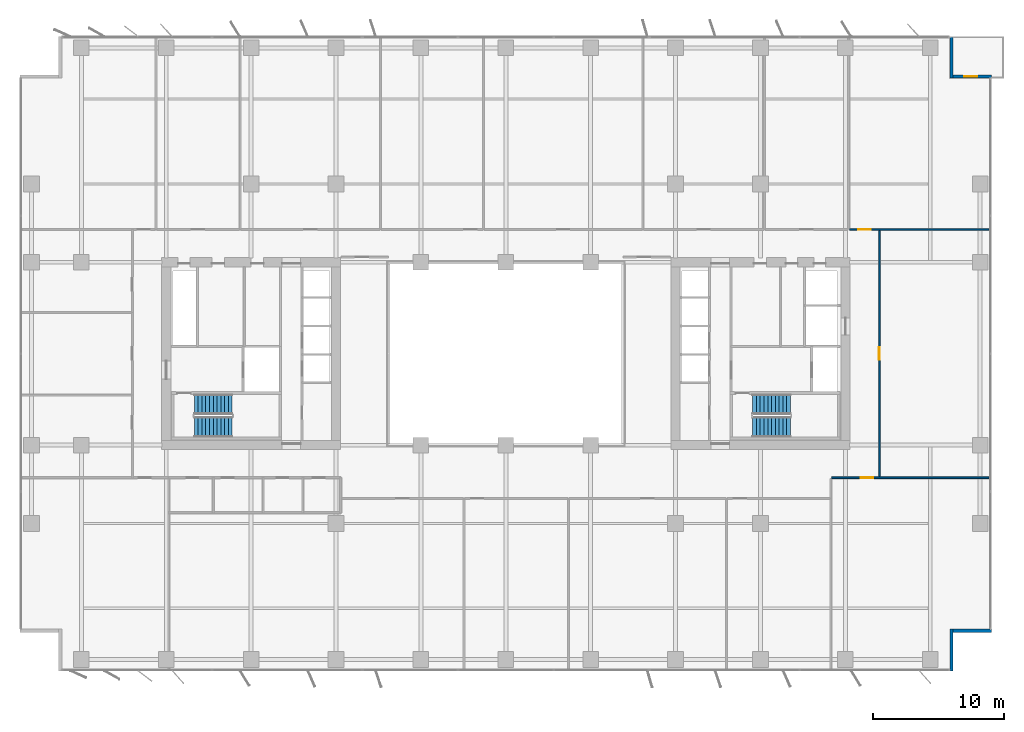
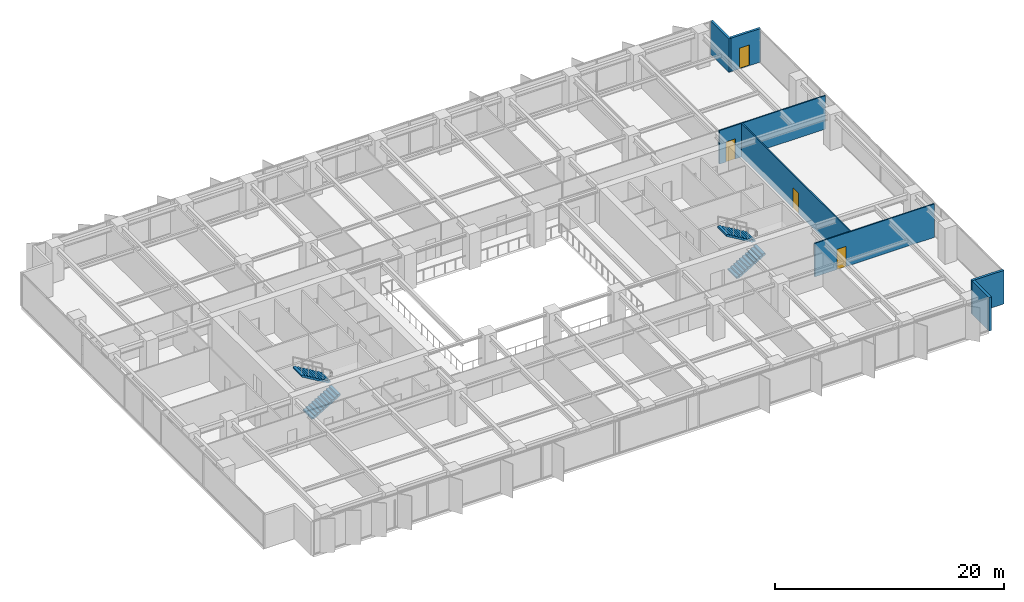
# One storey, part 16 of 20: 7 walls, 4 doors, 4 stair flights, 4 openings, 2 elements without a shape of their own.
"""IFC4 building model written with IfcOpenShell, lengths in metres."""

from ifc_helpers import new_model, si_unit, direction, frame, frame_2d, origin, place, context, subcontext, project, spatial, polyline, rectangle, outline, extrude, material, layer, layer_set, type_object, element, fill, aggregate, save


model = new_model("IFC4")

# Units and contexts
model_context = context("Model", 3, precision=1e-05, world=origin(), true_north=direction((0.0, 1.0)))
body_context = subcontext(model_context, "Body", "Model", "MODEL_VIEW")
ifc_project = project(units=[si_unit("LENGTHUNIT", "METRE"), si_unit("AREAUNIT", "SQUARE_METRE"), si_unit("VOLUMEUNIT", "CUBIC_METRE"), si_unit("PLANEANGLEUNIT", "RADIAN"), si_unit("MASSUNIT", "GRAM", prefix="KILO")], contexts=[model_context])

# Site, building, storey
site_placement = place(None, origin())
site = spatial("IfcSite", under=ifc_project, at=site_placement, CompositionType="ELEMENT")
building_placement = place(site_placement, origin())
building = spatial("IfcBuilding", under=site, at=building_placement, Name="Putna Gate Headquarters", CompositionType="ELEMENT")
storey_placement = place(building_placement, frame((0.0, 0.0, 124.0)))
storey = spatial("IfcBuildingStorey", under=building, at=storey_placement, Name="L30", CompositionType="ELEMENT", Elevation=124.0)

# Wall
ifc_material_1 = material(Name="Precast concrete C40/50", Category="concrete")
ifc_layer_1 = layer(ifc_material_1, 0.239990234375)
ifc_layer_set_1 = layer_set([ifc_layer_1], Name="Precast concrete C40/50")
wall_type_1 = type_object("IfcWallType", Name="WALL-EXT-TERR-240", PredefinedType="STANDARD", material=ifc_layer_set_1)
wall_1_placement = place(storey_placement, frame((73.1201171875, 50.300048828125, 0.0), z_axis=(0.0, 0.0, 1.0), x_axis=(0.0, -1.0, 0.0)))
element("IfcWall", 1, at=wall_1_placement, inside=storey, type_object=wall_type_1, Name="L30 Corner Notch Return Wall NE-V", PredefinedType="STANDARD", context=body_context, shape_type="SweptSolid", body=[
    extrude(rectangle(XDim=3.199951171875, YDim=0.239990234375, at=frame_2d((1.60009765625, 0.0))), origin(), (0.0, 0.0, 1.0), 3.56494140625),
])

# Wall, opening, door
wall_2_placement = place(storey_placement, frame((73.0, 47.219970703125, 0.0), z_axis=(0.0, 0.0, 1.0), x_axis=(1.0, 0.0, 0.0)))
wall_2 = element("IfcWall", 2, at=wall_2_placement, inside=storey, type_object=wall_type_1, Name="L30 Corner Notch Return Wall NE-H", PredefinedType="STANDARD", context=body_context, shape_type="SweptSolid", body=[
    extrude(rectangle(XDim=3.199951171875, YDim=0.239990234375, at=frame_2d((1.60009765625, 0.0))), origin(), (0.0, 0.0, 1.0), 3.56494140625),
])
opening_1_placement = place(wall_2_placement, frame((1.10009765625, 0.0, 0.0)))
opening_1 = element("IfcOpeningElement", 3, at=opening_1_placement, cuts=wall_2, Name="Opening TRD-1", PredefinedType="OPENING", context=body_context, shape_type="SweptSolid", body=[
    extrude(rectangle(XDim=1.0, YDim=2.199951171875, at=frame_2d((0.5, 1.10009765625))), frame((0.0, 0.1298828125, 0.0), z_axis=(0.0, -1.0, 0.0), x_axis=(1.0, 0.0, 0.0)), (0.0, 0.0, 1.0), 0.260009765625),
])
ifc_material_2 = material(Name="Thermally broken bronze glazed terrace door")
door_type_1 = type_object("IfcDoorType", Name="DOOR-TERR-EXT-1000", OperationType="NOTDEFINED", PredefinedType="DOOR", material=ifc_material_2)
door_1_placement = place(opening_1_placement, origin())
door_1 = element("IfcDoor", 4, at=door_1_placement, inside=storey, type_object=door_type_1, Name="L30 Spiral Sky Terrace Door NE", OperationType="SINGLE_SWING_LEFT", OverallHeight=2.199951171875, OverallWidth=1.0, PredefinedType="DOOR", context=body_context, shape_type="SweptSolid", body=[
    extrude(rectangle(XDim=1.0, YDim=2.199951171875, at=frame_2d((0.5, 1.10009765625))), frame((0.0, 0.02490234375, 0.0), z_axis=(0.0, -1.0, 0.0), x_axis=(1.0, 0.0, 0.0)), (0.0, 0.0, 1.0), 0.050048828125),
])
fill(opening_1, door_1)

# Walls
for number, where, z_axis, x_axis, name in (
    (5, (73.1201171875, 4.89990234375, 0.0), (0.0, 0.0, 1.0), (0.0, -1.0, 0.0), "L30 Corner Notch Return Wall SE-V"),
    (6, (76.199951171875, 4.780029296875, 0.0), (0.0, 0.0, 1.0), (-1.0, 0.0, 0.0), "L30 Corner Notch Return Wall SE-H"),
):
    element("IfcWall", number, at=place(storey_placement, frame(where, z_axis=z_axis, x_axis=x_axis)), inside=storey, type_object=wall_type_1, Name=name, PredefinedType="STANDARD", context=body_context, shape_type="SweptSolid", body=[
        extrude(rectangle(XDim=3.199951171875, YDim=0.239990234375, at=frame_2d((1.60009765625, 0.0))), origin(), (0.0, 0.0, 1.0), 3.56494140625),
    ])

# Wall, opening, door
ifc_material_3 = material(Name="Fire-rated gypsum board on metal stud")
ifc_layer_2 = layer(ifc_material_3, 0.1201171875)
ifc_layer_set_2 = layer_set([ifc_layer_2], Name="Fire-rated gypsum board on metal stud")
wall_type_2 = type_object("IfcWallType", Name="WALL-PART-120-RATED", PredefinedType="PARTITIONING", material=ifc_layer_set_2)
wall_3_placement = place(storey_placement, frame((65.322021484375, 35.5, 0.0), z_axis=(0.0, 0.0, 1.0), x_axis=(1.0, 0.0, 0.0)))
wall_3 = element("IfcWall", 7, at=wall_3_placement, inside=storey, type_object=wall_type_2, Name="L30 Interior Wall PART-L30-NB-CW-08", PredefinedType="PARTITIONING", context=body_context, shape_type="SweptSolid", body=[
    extrude(rectangle(XDim=10.697998046875, YDim=0.1201171875, at=frame_2d((5.34912109375, 0.0))), origin(), (0.0, 0.0, 1.0), 3.56494140625),
])
opening_2_placement = place(wall_3_placement, frame((0.6640625, 0.0, 0.0)))
opening_2 = element("IfcOpeningElement", 8, at=opening_2_placement, cuts=wall_3, Name="Opening FD-95", PredefinedType="OPENING", context=body_context, shape_type="SweptSolid", body=[
    extrude(rectangle(XDim=0.949951171875, YDim=2.14990234375, at=frame_2d((0.47509765625, 1.074951171875))), frame((0.0, 0.070068359375, 0.0), z_axis=(0.0, -1.0, 0.0), x_axis=(1.0, 0.0, 0.0)), (0.0, 0.0, 1.0), 0.14013671875),
])
ifc_material_4 = material(Name="Acoustic timber fire door", Category="wood")
door_type_2 = type_object("IfcDoorType", Name="DOOR-FIRE-950", OperationType="NOTDEFINED", PredefinedType="DOOR", material=ifc_material_4)
door_2_placement = place(opening_2_placement, origin())
door_2 = element("IfcDoor", 9, at=door_2_placement, inside=storey, type_object=door_type_2, Name="L30 Quiet Wellness Focus Studio 2 Door", OperationType="SINGLE_SWING_RIGHT", OverallHeight=2.14990234375, OverallWidth=0.949951171875, PredefinedType="DOOR", context=body_context, shape_type="SweptSolid", body=[
    extrude(rectangle(XDim=0.949951171875, YDim=2.14990234375, at=frame_2d((0.47509765625, 1.074951171875))), frame((0.0, 0.02490234375, 0.0), z_axis=(0.0, -1.0, 0.0), x_axis=(1.0, 0.0, 0.0)), (0.0, 0.0, 1.0), 0.050048828125),
])
fill(opening_2, door_2)

wall_4_placement = place(storey_placement, frame((63.954833984375, 16.5, 0.0), z_axis=(0.0, 0.0, 1.0), x_axis=(1.0, 0.0, 0.0)))
wall_4 = element("IfcWall", 10, at=wall_4_placement, inside=storey, type_object=wall_type_2, Name="L30 Interior Wall PART-L30-SB-CW-06", PredefinedType="PARTITIONING", context=body_context, shape_type="SweptSolid", body=[
    extrude(rectangle(XDim=12.065185546875, YDim=0.1201171875, at=frame_2d((6.03271484375, 0.0))), origin(), (0.0, 0.0, 1.0), 3.56494140625),
])
opening_3_placement = place(wall_4_placement, frame((2.215087890625, 0.0, 0.0)))
opening_3 = element("IfcOpeningElement", 11, at=opening_3_placement, cuts=wall_4, Name="Opening FD-95", PredefinedType="OPENING", context=body_context, shape_type="SweptSolid", body=[
    extrude(rectangle(XDim=0.949951171875, YDim=2.14990234375, at=frame_2d((0.47509765625, 1.074951171875))), frame((0.0, 0.070068359375, 0.0), z_axis=(0.0, -1.0, 0.0), x_axis=(1.0, 0.0, 0.0)), (0.0, 0.0, 1.0), 0.14013671875),
])
door_3_placement = place(opening_3_placement, origin())
door_3 = element("IfcDoor", 12, at=door_3_placement, inside=storey, type_object=door_type_2, Name="L30 Cellular Office 2 Door", OperationType="SINGLE_SWING_RIGHT", OverallHeight=2.14990234375, OverallWidth=0.949951171875, PredefinedType="DOOR", context=body_context, shape_type="SweptSolid", body=[
    extrude(rectangle(XDim=0.949951171875, YDim=2.14990234375, at=frame_2d((0.47509765625, 1.074951171875))), frame((0.0, 0.02490234375, 0.0), z_axis=(0.0, -1.0, 0.0), x_axis=(1.0, 0.0, 0.0)), (0.0, 0.0, 1.0), 0.050048828125),
])
fill(opening_3, door_3)

wall_5_placement = place(storey_placement, frame((67.60009765625, 16.5, 0.0), z_axis=(0.0, 0.0, 1.0), x_axis=(0.0, 1.0, 0.0)))
wall_5 = element("IfcWall", 13, at=wall_5_placement, inside=storey, type_object=wall_type_2, Name="L30 Interior Wall PART-L30-EW-CW-1", PredefinedType="PARTITIONING", context=body_context, shape_type="SweptSolid", body=[
    extrude(rectangle(XDim=19.0, YDim=0.1201171875, at=frame_2d((9.5, 0.0))), origin(), (0.0, 0.0, 1.0), 3.56494140625),
])
opening_4_placement = place(wall_5_placement, frame((9.02490234375, 0.0, 0.0)))
opening_4 = element("IfcOpeningElement", 14, at=opening_4_placement, cuts=wall_5, Name="Opening FD-95", PredefinedType="OPENING", context=body_context, shape_type="SweptSolid", body=[
    extrude(rectangle(XDim=0.949951171875, YDim=2.14990234375, at=frame_2d((0.47509765625, 1.074951171875))), frame((0.0, 0.070068359375, 0.0), z_axis=(0.0, -1.0, 0.0), x_axis=(1.0, 0.0, 0.0)), (0.0, 0.0, 1.0), 0.14013671875),
])
door_4_placement = place(opening_4_placement, origin())
door_4 = element("IfcDoor", 15, at=door_4_placement, inside=storey, type_object=door_type_2, Name="L30 East Horizon Conference Room 1 Door", OperationType="SINGLE_SWING_RIGHT", OverallHeight=2.14990234375, OverallWidth=0.949951171875, PredefinedType="DOOR", context=body_context, shape_type="SweptSolid", body=[
    extrude(rectangle(XDim=0.949951171875, YDim=2.14990234375, at=frame_2d((0.47509765625, 1.074951171875))), frame((0.0, 0.02490234375, 0.0), z_axis=(0.0, -1.0, 0.0), x_axis=(1.0, 0.0, 0.0)), (0.0, 0.0, 1.0), 0.050048828125),
])
fill(opening_4, door_4)

# Stair, stair flights
ifc_material_5 = material(Name="Concrete C40/50", Category="concrete")
stair_type_1 = type_object("IfcStairType", Name="STAIR-ST1", PredefinedType="HALF_TURN_STAIR", material=ifc_material_5)
stair_1_placement = place(storey_placement, origin())
stair_1 = element("IfcStair", 16, at=stair_1_placement, inside=storey, type_object=stair_type_1, Name="L30 West Core Exit Stair ST1", PredefinedType="HALF_TURN_STAIR")
stair_flight_type_1 = type_object("IfcStairFlightType", Name="FLIGHT-ST1", PredefinedType="STRAIGHT", material=ifc_material_5)
stair_flight_1_placement = place(storey_placement, frame((15.14990234375, 20.375, 0.0), z_axis=(0.0, 0.0, 1.0), x_axis=(1.0, 0.0, 0.0)))
stair_flight_1 = element("IfcStairFlight", 17, at=stair_flight_1_placement, type_object=stair_flight_type_1, Name="ST1 flight 1", NumberOfRisers=11, NumberOfTreads=10, PredefinedType="STRAIGHT", RiserHeight=0.172727273, TreadLength=0.29, context=body_context, shape_type="SweptSolid", body=[
    extrude(outline(polyline([(0.0, 0.0), (0.0, 0.172607421875), (0.2900390625, 0.172607421875), (0.2900390625, 0.345458984375), (0.580078125, 0.345458984375), (0.580078125, 0.51806640625), (0.8701171875, 0.51806640625), (0.8701171875, 0.69091796875), (1.159912109375, 0.69091796875), (1.159912109375, 0.863525390625), (1.449951171875, 0.863525390625), (1.449951171875, 1.036376953125), (1.739990234375, 1.036376953125), (1.739990234375, 1.208984375), (2.030029296875, 1.208984375), (2.030029296875, 1.3818359375), (2.320068359375, 1.3818359375), (2.320068359375, 1.554443359375), (2.610107421875, 1.554443359375), (2.610107421875, 1.727294921875), (2.89990234375, 1.727294921875), (2.89990234375, 1.89990234375), (2.89990234375, 1.552734375), (0.29296875, 0.0), (0.0, 0.0)])), frame((0.0, 0.77490234375, 0.0), z_axis=(0.0, -1.0, 0.0), x_axis=(1.0, 0.0, 0.0)), (0.0, 0.0, 1.0), 1.550048828125),
])
stair_flight_2_placement = place(storey_placement, frame((18.050048828125, 22.125, 1.89990234375), z_axis=(0.0, 0.0, 1.0), x_axis=(-1.0, 0.0, 0.0)))
stair_flight_2 = element("IfcStairFlight", 18, at=stair_flight_2_placement, type_object=stair_flight_type_1, Name="ST1 flight 2", NumberOfRisers=11, NumberOfTreads=10, PredefinedType="STRAIGHT", RiserHeight=0.172727273, TreadLength=0.29, context=body_context, shape_type="SweptSolid", body=[
    extrude(outline(polyline([(0.0, 0.0), (0.0, 0.172607421875), (0.2900390625, 0.172607421875), (0.2900390625, 0.345458984375), (0.580078125, 0.345458984375), (0.580078125, 0.51806640625), (0.8701171875, 0.51806640625), (0.8701171875, 0.69091796875), (1.159912109375, 0.69091796875), (1.159912109375, 0.863525390625), (1.449951171875, 0.863525390625), (1.449951171875, 1.036376953125), (1.739990234375, 1.036376953125), (1.739990234375, 1.208984375), (2.030029296875, 1.208984375), (2.030029296875, 1.3818359375), (2.320068359375, 1.3818359375), (2.320068359375, 1.554443359375), (2.610107421875, 1.554443359375), (2.610107421875, 1.727294921875), (2.89990234375, 1.727294921875), (2.89990234375, 1.89990234375), (2.89990234375, 1.552734375), (0.29296875, 0.0), (0.0, 0.0)])), frame((0.0, 0.77490234375, 0.0), z_axis=(0.0, -1.0, 0.0), x_axis=(1.0, 0.0, 0.0)), (0.0, 0.0, 1.0), 1.550048828125),
])
aggregate(stair_1, [stair_flight_1, stair_flight_2])

stair_type_2 = type_object("IfcStairType", Name="STAIR-ST2", PredefinedType="HALF_TURN_STAIR", material=ifc_material_5)
stair_2_placement = place(storey_placement, origin())
stair_2 = element("IfcStair", 19, at=stair_2_placement, inside=storey, type_object=stair_type_2, Name="L30 East Core Exit Stair ST2", PredefinedType="HALF_TURN_STAIR")
stair_flight_type_2 = type_object("IfcStairFlightType", Name="FLIGHT-ST2", PredefinedType="STRAIGHT", material=ifc_material_5)
stair_flight_3_placement = place(storey_placement, frame((57.89990234375, 20.375, 0.0), z_axis=(0.0, 0.0, 1.0), x_axis=(1.0, 0.0, 0.0)))
stair_flight_3 = element("IfcStairFlight", 20, at=stair_flight_3_placement, type_object=stair_flight_type_2, Name="ST2 flight 1", NumberOfRisers=11, NumberOfTreads=10, PredefinedType="STRAIGHT", RiserHeight=0.172727273, TreadLength=0.29, context=body_context, shape_type="SweptSolid", body=[
    extrude(outline(polyline([(0.0, 0.0), (0.0, 0.172607421875), (0.2900390625, 0.172607421875), (0.2900390625, 0.345458984375), (0.580078125, 0.345458984375), (0.580078125, 0.51806640625), (0.8701171875, 0.51806640625), (0.8701171875, 0.69091796875), (1.159912109375, 0.69091796875), (1.159912109375, 0.863525390625), (1.449951171875, 0.863525390625), (1.449951171875, 1.036376953125), (1.739990234375, 1.036376953125), (1.739990234375, 1.208984375), (2.030029296875, 1.208984375), (2.030029296875, 1.3818359375), (2.320068359375, 1.3818359375), (2.320068359375, 1.554443359375), (2.610107421875, 1.554443359375), (2.610107421875, 1.727294921875), (2.89990234375, 1.727294921875), (2.89990234375, 1.89990234375), (2.89990234375, 1.552734375), (0.29296875, 0.0), (0.0, 0.0)])), frame((0.0, 0.77490234375, 0.0), z_axis=(0.0, -1.0, 0.0), x_axis=(1.0, 0.0, 0.0)), (0.0, 0.0, 1.0), 1.550048828125),
])
stair_flight_4_placement = place(storey_placement, frame((60.800048828125, 22.125, 1.89990234375), z_axis=(0.0, 0.0, 1.0), x_axis=(-1.0, 0.0, 0.0)))
stair_flight_4 = element("IfcStairFlight", 21, at=stair_flight_4_placement, type_object=stair_flight_type_2, Name="ST2 flight 2", NumberOfRisers=11, NumberOfTreads=10, PredefinedType="STRAIGHT", RiserHeight=0.172727273, TreadLength=0.29, context=body_context, shape_type="SweptSolid", body=[
    extrude(outline(polyline([(0.0, 0.0), (0.0, 0.172607421875), (0.2900390625, 0.172607421875), (0.2900390625, 0.345458984375), (0.580078125, 0.345458984375), (0.580078125, 0.51806640625), (0.8701171875, 0.51806640625), (0.8701171875, 0.69091796875), (1.159912109375, 0.69091796875), (1.159912109375, 0.863525390625), (1.449951171875, 0.863525390625), (1.449951171875, 1.036376953125), (1.739990234375, 1.036376953125), (1.739990234375, 1.208984375), (2.030029296875, 1.208984375), (2.030029296875, 1.3818359375), (2.320068359375, 1.3818359375), (2.320068359375, 1.554443359375), (2.610107421875, 1.554443359375), (2.610107421875, 1.727294921875), (2.89990234375, 1.727294921875), (2.89990234375, 1.89990234375), (2.89990234375, 1.552734375), (0.29296875, 0.0), (0.0, 0.0)])), frame((0.0, 0.77490234375, 0.0), z_axis=(0.0, -1.0, 0.0), x_axis=(1.0, 0.0, 0.0)), (0.0, 0.0, 1.0), 1.550048828125),
])
aggregate(stair_2, [stair_flight_3, stair_flight_4])

save(model, "model.ifc")
